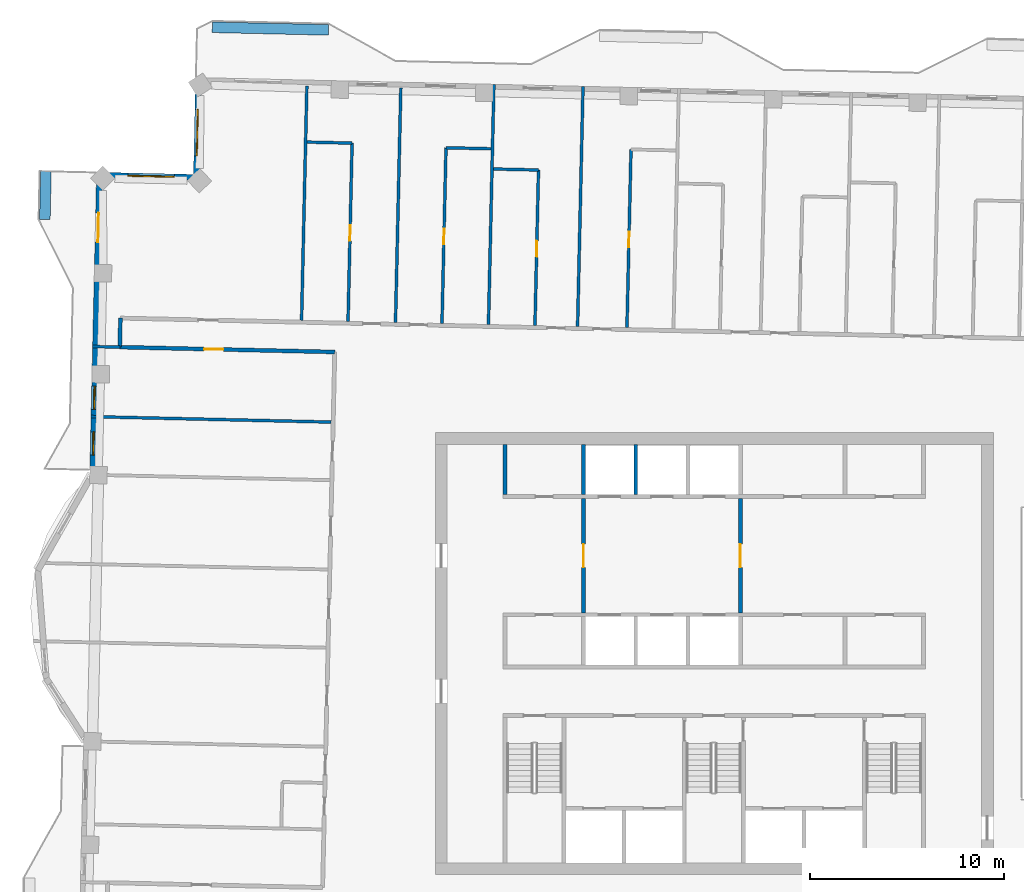
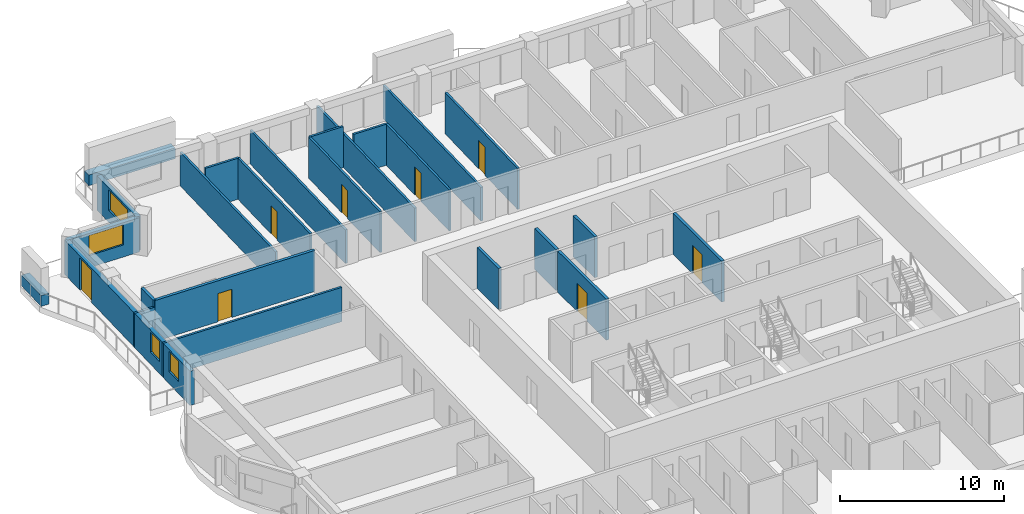
# One storey, part 8 of 15: 25 walls, 8 doors, 4 windows, 12 openings.
"""IFC4 building model written with IfcOpenShell, lengths in metres."""

from ifc_helpers import new_model, si_unit, direction, frame, frame_2d, origin, place, context, subcontext, project, spatial, rectangle, extrude, material, layer, layer_set, type_object, element, fill, save


model = new_model("IFC4")

# Units and contexts
model_context = context("Model", 3, precision=1e-05, world=origin(), true_north=direction((0.0, 1.0)))
body_context = subcontext(model_context, "Body", "Model", "MODEL_VIEW")
ifc_project = project(units=[si_unit("LENGTHUNIT", "METRE"), si_unit("AREAUNIT", "SQUARE_METRE"), si_unit("VOLUMEUNIT", "CUBIC_METRE"), si_unit("PLANEANGLEUNIT", "RADIAN"), si_unit("MASSUNIT", "GRAM", prefix="KILO")], contexts=[model_context])

# Site, building, storey
site_placement = place(None, origin())
site = spatial("IfcSite", under=ifc_project, at=site_placement, CompositionType="ELEMENT")
building_placement = place(site_placement, origin())
building = spatial("IfcBuilding", under=site, at=building_placement, Name="Mangrove Gate Tower", CompositionType="ELEMENT")
storey_placement = place(building_placement, frame((0.0, 0.0, 306.10009765625)))
storey = spatial("IfcBuildingStorey", under=building, at=storey_placement, Name="L78", CompositionType="ELEMENT", Elevation=306.10009765625)

# Wall, opening, door
ifc_material_1 = material(Name="Concrete C32/40", Category="concrete")
ifc_layer_1 = layer(ifc_material_1, 0.199951171875)
ifc_layer_set_1 = layer_set([ifc_layer_1], Name="Core lobby wall 200 C32/40")
wall_type_1 = type_object("IfcWallType", Name="Core lobby wall 200 C32/40", PredefinedType="STANDARD", material=ifc_layer_set_1)
wall_1_placement = place(storey_placement, frame((-6.75, 2.10009765625, 0.0), z_axis=(0.0, 0.0, 1.0), x_axis=(0.0, 1.0, 0.0)))
wall_1 = element("IfcWall", 1, at=wall_1_placement, inside=storey, type_object=wall_type_1, Name="WALL-L78-CORE-33", PredefinedType="STANDARD", context=body_context, shape_type="SweptSolid", body=[
    extrude(rectangle(XDim=5.89990234375, YDim=0.199951171875, at=frame_2d((2.949951171875, 0.0))), origin(), (0.0, 0.0, 1.0), 3.0498046875),
])
opening_1_placement = place(wall_1_placement, frame((2.35009765625, 0.0, 0.0)))
opening_1 = element("IfcOpeningElement", 2, at=opening_1_placement, cuts=wall_1, Name="Opening FL12", PredefinedType="OPENING", context=body_context, shape_type="SweptSolid", body=[
    extrude(rectangle(XDim=1.199951171875, YDim=2.10009765625, at=frame_2d((0.60009765625, 1.050048828125))), frame((0.0, 0.10986328125, 0.0), z_axis=(0.0, -1.0, 0.0), x_axis=(1.0, 0.0, 0.0)), (0.0, 0.0, 1.0), 0.219970703125),
])
ifc_material_2 = material(Name="Fire-rated steel door set", Category="steel")
door_type_1 = type_object("IfcDoorType", Name="Lobby door FD60 1200x2100", OperationType="SINGLE_SWING_LEFT", PredefinedType="DOOR", material=ifc_material_2)
door_1_placement = place(opening_1_placement, origin())
door_1 = element("IfcDoor", 3, at=door_1_placement, inside=storey, type_object=door_type_1, Name="Lobby door lift lobby partition", OperationType="SINGLE_SWING_LEFT", OverallHeight=2.10009765625, OverallWidth=1.199951171875, PredefinedType="DOOR", context=body_context, shape_type="SweptSolid", body=[
    extrude(rectangle(XDim=1.199951171875, YDim=2.10009765625, at=frame_2d((0.60009765625, 1.050048828125))), frame((0.0, 0.02490234375, 0.0), z_axis=(0.0, -1.0, 0.0), x_axis=(1.0, 0.0, 0.0)), (0.0, 0.0, 1.0), 0.050048828125),
])
fill(opening_1, door_1)

wall_2_placement = place(storey_placement, frame((1.35009765625, 2.10009765625, 0.0), z_axis=(0.0, 0.0, 1.0), x_axis=(0.0, 1.0, 0.0)))
wall_2 = element("IfcWall", 4, at=wall_2_placement, inside=storey, type_object=wall_type_1, Name="WALL-L78-CORE-34", PredefinedType="STANDARD", context=body_context, shape_type="SweptSolid", body=[
    extrude(rectangle(XDim=5.89990234375, YDim=0.199951171875, at=frame_2d((2.949951171875, 0.0))), origin(), (0.0, 0.0, 1.0), 3.0498046875),
])
opening_2_placement = place(wall_2_placement, frame((2.35009765625, 0.0, 0.0)))
opening_2 = element("IfcOpeningElement", 5, at=opening_2_placement, cuts=wall_2, Name="Opening FL12", PredefinedType="OPENING", context=body_context, shape_type="SweptSolid", body=[
    extrude(rectangle(XDim=1.199951171875, YDim=2.10009765625, at=frame_2d((0.60009765625, 1.050048828125))), frame((0.0, 0.10986328125, 0.0), z_axis=(0.0, -1.0, 0.0), x_axis=(1.0, 0.0, 0.0)), (0.0, 0.0, 1.0), 0.219970703125),
])
door_2_placement = place(opening_2_placement, origin())
door_2 = element("IfcDoor", 6, at=door_2_placement, inside=storey, type_object=door_type_1, Name="Lobby door lift lobby partition", OperationType="SINGLE_SWING_LEFT", OverallHeight=2.10009765625, OverallWidth=1.199951171875, PredefinedType="DOOR", context=body_context, shape_type="SweptSolid", body=[
    extrude(rectangle(XDim=1.199951171875, YDim=2.10009765625, at=frame_2d((0.60009765625, 1.050048828125))), frame((0.0, 0.02490234375, 0.0), z_axis=(0.0, -1.0, 0.0), x_axis=(1.0, 0.0, 0.0)), (0.0, 0.0, 1.0), 0.050048828125),
])
fill(opening_2, door_2)

# Walls
ifc_material_3 = material(Name="Concrete C32/40", Category="concrete")
ifc_layer_2 = layer(ifc_material_3, 0.199951171875)
ifc_layer_set_2 = layer_set([ifc_layer_2], Name="Core room wall 200 C32/40")
wall_type_2 = type_object("IfcWallType", Name="Core room wall 200 C32/40", PredefinedType="STANDARD", material=ifc_layer_set_2)
wall_3_placement = place(storey_placement, frame((-10.800048828125, 8.199951171875, 0.0), z_axis=(0.0, 0.0, 1.0), x_axis=(0.0, 1.0, 0.0)))
element("IfcWall", 7, at=wall_3_placement, inside=storey, type_object=wall_type_2, Name="WALL-L78-CORE-26", PredefinedType="STANDARD", context=body_context, shape_type="SweptSolid", body=[
    extrude(rectangle(XDim=2.60009765625, YDim=0.199951171875, at=frame_2d((1.300048828125, 0.0))), origin(), (0.0, 0.0, 1.0), 3.0498046875),
])
ifc_material_4 = material(Name="Concrete C50/60", Category="concrete")
ifc_layer_3 = layer(ifc_material_4, 0.199951171875)
ifc_layer_set_3 = layer_set([ifc_layer_3], Name="Core shaft wall 200 C50/60")
wall_type_3 = type_object("IfcWallType", Name="Core shaft wall 200 C50/60", PredefinedType="SHEAR", material=ifc_layer_set_3)
for number, where, z_axis, x_axis, name in (
    (8, (-6.75, 8.199951171875, 0.0), (0.0, 0.0, 1.0), (0.0, 1.0, 0.0), "WALL-L78-CORE-27"),
    (9, (-4.050048828125, 8.199951171875, 0.0), (0.0, 0.0, 1.0), (0.0, 1.0, 0.0), "WALL-L78-CORE-28"),
):
    element("IfcWall", number, at=place(storey_placement, frame(where, z_axis=z_axis, x_axis=x_axis)), inside=storey, type_object=wall_type_3, Name=name, PredefinedType="SHEAR", context=body_context, shape_type="SweptSolid", body=[
        extrude(rectangle(XDim=2.60009765625, YDim=0.199951171875, at=frame_2d((1.300048828125, 0.0))), origin(), (0.0, 0.0, 1.0), 3.0498046875),
    ])

# Wall, opening, door
ifc_material_5 = material(Name="Gypsum board on steel stud, EI 60", Category="steel")
ifc_layer_4 = layer(ifc_material_5, 0.199951171875)
ifc_layer_set_4 = layer_set([ifc_layer_4], Name="Corridor wall EI 60")
wall_type_4 = type_object("IfcWallType", Name="Corridor wall EI 60", PredefinedType="PARTITIONING", material=ifc_layer_set_4)
wall_4_placement = place(storey_placement, frame((-30.68603515625, 15.81396484375, 0.0), z_axis=(0.0, 0.0, 1.0), x_axis=(0.999742346277, -0.022698921993, 0.0)))
wall_4 = element("IfcWall", 10, at=wall_4_placement, inside=storey, type_object=wall_type_4, Name="WALL-L78-053", PredefinedType="PARTITIONING", context=body_context, shape_type="SweptSolid", body=[
    extrude(rectangle(XDim=11.099853515625, YDim=0.199951171875, at=frame_2d((5.5498046875, 0.0))), origin(), (0.0, 0.0, 1.0), 3.0498046875),
])
opening_3_placement = place(wall_4_placement, frame((4.35009765625, 0.0, 0.0)))
opening_3 = element("IfcOpeningElement", 11, at=opening_3_placement, cuts=wall_4, Name="Opening AD", PredefinedType="OPENING", context=body_context, shape_type="SweptSolid", body=[
    extrude(rectangle(XDim=1.0, YDim=2.10009765625, at=frame_2d((0.5, 1.050048828125))), frame((0.0, 0.10986328125, 0.0), z_axis=(0.0, -1.0, 0.0), x_axis=(1.0, 0.0, 0.0)), (0.0, 0.0, 1.0), 0.219970703125),
])
ifc_material_6 = material(Name="Timber door leaf", Category="wood")
door_type_2 = type_object("IfcDoorType", Name="Amenity door 1000", OperationType="SINGLE_SWING_LEFT", PredefinedType="DOOR", material=ifc_material_6)
door_3_placement = place(opening_3_placement, origin())
door_3 = element("IfcDoor", 12, at=door_3_placement, inside=storey, type_object=door_type_2, Name="DOOR-L78-KIT-c5b", OperationType="SINGLE_SWING_LEFT", OverallHeight=2.10009765625, OverallWidth=1.0, PredefinedType="DOOR", context=body_context, shape_type="SweptSolid", body=[
    extrude(rectangle(XDim=1.0, YDim=2.10009765625, at=frame_2d((0.5, 1.050048828125))), frame((0.0, 0.02490234375, 0.0), z_axis=(0.0, -1.0, 0.0), x_axis=(1.0, 0.0, 0.0)), (0.0, 0.0, 1.0), 0.050048828125),
])
fill(opening_3, door_3)

# Wall
wall_5_placement = place(storey_placement, frame((-30.68603515625, 15.81396484375, 0.0), z_axis=(0.0, 0.0, 1.0), x_axis=(0.022632637625, 0.99974384905, 0.0)))
element("IfcWall", 13, at=wall_5_placement, inside=storey, type_object=wall_type_4, Name="WALL-L78-054", PredefinedType="PARTITIONING", context=body_context, shape_type="SweptSolid", body=[
    extrude(rectangle(XDim=1.49951171875, YDim=0.199951171875, at=frame_2d((0.749755859375, 0.0))), origin(), (0.0, 0.0, 1.0), 3.0498046875),
])

# Wall, opening, window
ifc_material_7 = material(Name="Limestone", Category="masonry")
ifc_layer_5 = layer(ifc_material_7, 0.0400390625, Name="Limestone cladding")
ifc_material_8 = material(Name="Ventilated air gap")
ifc_layer_6 = layer(ifc_material_8, 0.0400390625, Name="Ventilated cavity")
ifc_material_9 = material(Name="Mineral wool insulation")
ifc_layer_7 = layer(ifc_material_9, 0.06005859375, Name="Insulation")
ifc_material_10 = material(Name="Breather membrane")
ifc_layer_8 = layer(ifc_material_10, 0.001953125, Name="Breather membrane")
ifc_material_11 = material(Name="Concrete C20/25 blockwork", Category="masonry")
ifc_layer_9 = layer(ifc_material_11, 0.14990234375, Name="Blockwork backing wall")
ifc_material_12 = material(Name="Gypsum plaster")
ifc_layer_10 = layer(ifc_material_12, 0.008056640625, Name="Internal plaster")
ifc_layer_set_5 = layer_set([ifc_layer_5, ifc_layer_6, ifc_layer_7, ifc_layer_8, ifc_layer_9, ifc_layer_10], Name="External wall 300 limestone cladding")
wall_type_5 = type_object("IfcWallType", Name="External wall 300 limestone cladding", PredefinedType="SOLIDWALL", material=ifc_layer_set_5)
wall_6_placement = place(storey_placement, frame((-26.623046875, 29.574951171875, 0.0), z_axis=(0.0, 0.0, 1.0), x_axis=(-0.022606059803, -0.999744450377, 0.0)))
wall_6 = element("IfcWall", 14, at=wall_6_placement, inside=storey, type_object=wall_type_5, Name="WALL-L78-W6", PredefinedType="SOLIDWALL", context=body_context, shape_type="SweptSolid", body=[
    extrude(rectangle(XDim=5.000244140625, YDim=0.300048828125, at=frame_2d((2.5, 0.0))), origin(), (0.0, 0.0, 1.0), 2.5498046875),
])
opening_4_placement = place(wall_6_placement, frame((1.489990234375, 0.0, 0.89990234375)))
opening_4 = element("IfcOpeningElement", 15, at=opening_4_placement, cuts=wall_6, Name="Opening W2", PredefinedType="OPENING", context=body_context, shape_type="SweptSolid", body=[
    extrude(rectangle(XDim=2.39990234375, YDim=1.5, at=frame_2d((1.199951171875, 0.75))), frame((0.0, 0.159912109375, 0.0), z_axis=(0.0, -1.0, 0.0), x_axis=(1.0, 0.0, 0.0)), (0.0, 0.0, 1.0), 0.320068359375),
])
ifc_material_13 = material(Name="Aluminium frame with double-glazed low-e glass", Category="aluminium")
window_type_1 = type_object("IfcWindowType", Name="Corner room window 2400x1500", PartitioningType="DOUBLE_PANEL_VERTICAL", PredefinedType="WINDOW", material=ifc_material_13)
window_1_placement = place(opening_4_placement, origin())
window_1 = element("IfcWindow", 16, at=window_1_placement, inside=storey, type_object=window_type_1, Name="WIN-L78-W6-1", OverallHeight=1.5, OverallWidth=2.39990234375, PartitioningType="DOUBLE_PANEL_VERTICAL", PredefinedType="WINDOW", context=body_context, shape_type="SweptSolid", body=[
    extrude(rectangle(XDim=2.39990234375, YDim=1.5, at=frame_2d((1.199951171875, 0.75))), frame((0.0, 0.030029296875, 0.0), z_axis=(0.0, -1.0, 0.0), x_axis=(1.0, 0.0, 0.0)), (0.0, 0.0, 1.0), 0.06005859375),
])
fill(opening_4, window_1)

wall_7_placement = place(storey_placement, frame((-26.736083984375, 24.575927734375, 0.0), z_axis=(0.0, 0.0, 1.0), x_axis=(-0.999740017489, 0.022801259434, 0.0)))
wall_7 = element("IfcWall", 17, at=wall_7_placement, inside=storey, type_object=wall_type_5, Name="WALL-L78-N7", PredefinedType="SOLIDWALL", context=body_context, shape_type="SweptSolid", body=[
    extrude(rectangle(XDim=5.000244140625, YDim=0.300048828125, at=frame_2d((2.5, 0.0))), origin(), (0.0, 0.0, 1.0), 2.5498046875),
])
opening_5_placement = place(wall_7_placement, frame((1.12890625, 0.0, 0.89990234375)))
opening_5 = element("IfcOpeningElement", 18, at=opening_5_placement, cuts=wall_7, Name="Opening W2", PredefinedType="OPENING", context=body_context, shape_type="SweptSolid", body=[
    extrude(rectangle(XDim=2.39990234375, YDim=1.5, at=frame_2d((1.199951171875, 0.75))), frame((0.0, 0.159912109375, 0.0), z_axis=(0.0, -1.0, 0.0), x_axis=(1.0, 0.0, 0.0)), (0.0, 0.0, 1.0), 0.320068359375),
])
window_2_placement = place(opening_5_placement, origin())
window_2 = element("IfcWindow", 19, at=window_2_placement, inside=storey, type_object=window_type_1, Name="WIN-L78-N7-1", OverallHeight=1.5, OverallWidth=2.39990234375, PartitioningType="DOUBLE_PANEL_VERTICAL", PredefinedType="WINDOW", context=body_context, shape_type="SweptSolid", body=[
    extrude(rectangle(XDim=2.39990234375, YDim=1.5, at=frame_2d((1.199951171875, 0.75))), frame((0.0, 0.030029296875, 0.0), z_axis=(0.0, -1.0, 0.0), x_axis=(1.0, 0.0, 0.0)), (0.0, 0.0, 1.0), 0.06005859375),
])
fill(opening_5, window_2)

# Wall, openings, door, windows
wall_8_placement = place(storey_placement, frame((-31.735107421875, 24.68994140625, 0.0), z_axis=(0.0, 0.0, 1.0), x_axis=(-0.022658721334, -0.999743258216, 0.0)))
wall_8 = element("IfcWall", 20, at=wall_8_placement, inside=storey, type_object=wall_type_5, Name="WALL-L78-W8s1", PredefinedType="SOLIDWALL", context=body_context, shape_type="SweptSolid", body=[
    extrude(rectangle(XDim=15.925048828125, YDim=0.300048828125, at=frame_2d((7.96240234375, 0.0))), origin(), (0.0, 0.0, 1.0), 2.5498046875),
])
opening_6_placement = place(wall_8_placement, frame((1.952880859375, 0.0, 0.0)))
opening_6 = element("IfcOpeningElement", 21, at=opening_6_placement, cuts=wall_8, Name="Opening BD1", PredefinedType="OPENING", context=body_context, shape_type="SweptSolid", body=[
    extrude(rectangle(XDim=1.5, YDim=2.39990234375, at=frame_2d((0.75, 1.199951171875))), frame((0.0, 0.159912109375, 0.0), z_axis=(0.0, -1.0, 0.0), x_axis=(1.0, 0.0, 0.0)), (0.0, 0.0, 1.0), 0.320068359375),
])
opening_7_placement = place(wall_8_placement, frame((10.89599609375, 0.0, 0.89990234375)))
opening_7 = element("IfcOpeningElement", 22, at=opening_7_placement, cuts=wall_8, Name="Opening W1", PredefinedType="OPENING", context=body_context, shape_type="SweptSolid", body=[
    extrude(rectangle(XDim=1.199951171875, YDim=1.5, at=frame_2d((0.60009765625, 0.75))), frame((0.0, 0.159912109375, 0.0), z_axis=(0.0, -1.0, 0.0), x_axis=(1.0, 0.0, 0.0)), (0.0, 0.0, 1.0), 0.320068359375),
])
opening_8_placement = place(wall_8_placement, frame((13.25, 0.0, 0.89990234375)))
opening_8 = element("IfcOpeningElement", 23, at=opening_8_placement, cuts=wall_8, Name="Opening W1", PredefinedType="OPENING", context=body_context, shape_type="SweptSolid", body=[
    extrude(rectangle(XDim=1.199951171875, YDim=1.5, at=frame_2d((0.60009765625, 0.75))), frame((0.0, 0.159912109375, 0.0), z_axis=(0.0, -1.0, 0.0), x_axis=(1.0, 0.0, 0.0)), (0.0, 0.0, 1.0), 0.320068359375),
])
ifc_material_14 = material(Name="Aluminium frame with laminated clear glass", Category="aluminium")
door_type_3 = type_object("IfcDoorType", Name="Balcony sliding door 1500x2400", OperationType="SLIDING_TO_LEFT", PredefinedType="DOOR", material=ifc_material_14)
door_4_placement = place(opening_6_placement, origin())
door_4 = element("IfcDoor", 24, at=door_4_placement, inside=storey, type_object=door_type_3, Name="DOOR-L78-W8-1", OperationType="SLIDING_TO_LEFT", OverallHeight=2.39990234375, OverallWidth=1.5, PredefinedType="DOOR", context=body_context, shape_type="SweptSolid", body=[
    extrude(rectangle(XDim=1.5, YDim=2.39990234375, at=frame_2d((0.75, 1.199951171875))), frame((0.0, 0.02490234375, 0.0), z_axis=(0.0, -1.0, 0.0), x_axis=(1.0, 0.0, 0.0)), (0.0, 0.0, 1.0), 0.050048828125),
])
fill(opening_6, door_4)
ifc_material_15 = material(Name="Aluminium frame with double-glazed low-e glass", Category="aluminium")
window_type_2 = type_object("IfcWindowType", Name="Side lite 1200x1500", PartitioningType="SINGLE_PANEL", PredefinedType="WINDOW", material=ifc_material_15)
window_3_placement = place(opening_7_placement, origin())
window_3 = element("IfcWindow", 25, at=window_3_placement, inside=storey, type_object=window_type_2, Name="WIN-L78-W8-2", OverallHeight=1.5, OverallWidth=1.199951171875, PartitioningType="SINGLE_PANEL", PredefinedType="WINDOW", context=body_context, shape_type="SweptSolid", body=[
    extrude(rectangle(XDim=1.199951171875, YDim=1.5, at=frame_2d((0.60009765625, 0.75))), frame((0.0, 0.030029296875, 0.0), z_axis=(0.0, -1.0, 0.0), x_axis=(1.0, 0.0, 0.0)), (0.0, 0.0, 1.0), 0.06005859375),
])
fill(opening_7, window_3)
window_4_placement = place(opening_8_placement, origin())
window_4 = element("IfcWindow", 26, at=window_4_placement, inside=storey, type_object=window_type_2, Name="WIN-L78-W8-3", OverallHeight=1.5, OverallWidth=1.199951171875, PartitioningType="SINGLE_PANEL", PredefinedType="WINDOW", context=body_context, shape_type="SweptSolid", body=[
    extrude(rectangle(XDim=1.199951171875, YDim=1.5, at=frame_2d((0.60009765625, 0.75))), frame((0.0, 0.030029296875, 0.0), z_axis=(0.0, -1.0, 0.0), x_axis=(1.0, 0.0, 0.0)), (0.0, 0.0, 1.0), 0.06005859375),
])
fill(opening_8, window_4)

# Walls
ifc_material_16 = material(Name="Gypsum board on steel stud, EI 60", Category="steel")
ifc_layer_11 = layer(ifc_material_16, 0.14990234375)
ifc_layer_set_6 = layer_set([ifc_layer_11], Name="Party wall 150 EI 60")
wall_type_6 = type_object("IfcWallType", Name="Party wall 150 EI 60", PredefinedType="PARTITIONING", material=ifc_layer_set_6)
wall_9_placement = place(storey_placement, frame((-32.16796875, 12.22607421875, 0.0), z_axis=(0.0, 0.0, 1.0), x_axis=(0.999743195783, -0.022661475803, 0.0)))
element("IfcWall", 27, at=wall_9_placement, inside=storey, type_object=wall_type_6, Name="WALL-L78-051", PredefinedType="PARTITIONING", context=body_context, shape_type="SweptSolid", body=[
    extrude(rectangle(XDim=12.400146484375, YDim=0.14990234375, at=frame_2d((6.2001953125, 0.0))), origin(), (0.0, 0.0, 1.0), 2.5498046875),
])
wall_10_placement = place(storey_placement, frame((-32.0859375, 15.844970703125, 0.0), z_axis=(0.0, 0.0, 1.0), x_axis=(0.999740667531, -0.022772739949, 0.0)))
element("IfcWall", 28, at=wall_10_placement, inside=storey, type_object=wall_type_6, Name="WALL-L78-052", PredefinedType="PARTITIONING", context=body_context, shape_type="SweptSolid", body=[
    extrude(rectangle(XDim=1.404296875, YDim=0.14990234375, at=frame_2d((0.7021484375, 0.0))), origin(), (0.0, 0.0, 1.0), 2.5498046875),
])
wall_11_placement = place(storey_placement, frame((-21.302001953125, 17.200927734375, 0.0), z_axis=(0.0, 0.0, 1.0), x_axis=(0.022637991173, 0.99974372784, 0.0)))
element("IfcWall", 29, at=wall_11_placement, inside=storey, type_object=wall_type_6, Name="WALL-L78-059", PredefinedType="PARTITIONING", context=body_context, shape_type="SweptSolid", body=[
    extrude(rectangle(XDim=12.100341796875, YDim=0.14990234375, at=frame_2d((6.05029296875, 0.0))), origin(), (0.0, 0.0, 1.0), 2.5),
])

# Wall, opening, door
wall_12_placement = place(storey_placement, frame((-18.903076171875, 17.14697265625, 0.0), z_axis=(0.0, 0.0, 1.0), x_axis=(0.022717185456, 0.999741931443, 0.0)))
wall_12 = element("IfcWall", 30, at=wall_12_placement, inside=storey, type_object=wall_type_6, Name="WALL-L78-060", PredefinedType="PARTITIONING", context=body_context, shape_type="SweptSolid", body=[
    extrude(rectangle(XDim=9.199462890625, YDim=0.14990234375, at=frame_2d((4.599609375, 0.0))), origin(), (0.0, 0.0, 1.0), 3.0498046875),
])
opening_9_placement = place(wall_12_placement, frame((4.14990234375, 0.0, 0.0)))
opening_9 = element("IfcOpeningElement", 31, at=opening_9_placement, cuts=wall_12, Name="Opening ED", PredefinedType="OPENING", context=body_context, shape_type="SweptSolid", body=[
    extrude(rectangle(XDim=0.800048828125, YDim=2.10009765625, at=frame_2d((0.39990234375, 1.050048828125))), frame((0.0, 0.0849609375, 0.0), z_axis=(0.0, -1.0, 0.0), x_axis=(1.0, 0.0, 0.0)), (0.0, 0.0, 1.0), 0.169921875),
])
ifc_material_17 = material(Name="Timber door leaf", Category="wood")
door_type_4 = type_object("IfcDoorType", Name="En-suite door 800", OperationType="SINGLE_SWING_LEFT", PredefinedType="DOOR", material=ifc_material_17)
door_5_placement = place(opening_9_placement, origin())
door_5 = element("IfcDoor", 32, at=door_5_placement, inside=storey, type_object=door_type_4, Name="DOOR-L78-ENS-c519", OperationType="SINGLE_SWING_LEFT", OverallHeight=2.10009765625, OverallWidth=0.800048828125, PredefinedType="DOOR", context=body_context, shape_type="SweptSolid", body=[
    extrude(rectangle(XDim=0.800048828125, YDim=2.10009765625, at=frame_2d((0.39990234375, 1.050048828125))), frame((0.0, 0.02490234375, 0.0), z_axis=(0.0, -1.0, 0.0), x_axis=(1.0, 0.0, 0.0)), (0.0, 0.0, 1.0), 0.050048828125),
])
fill(opening_9, door_5)

# Wall
wall_13_placement = place(storey_placement, frame((-16.4541015625, 17.091064453125, 0.0), z_axis=(0.0, 0.0, 1.0), x_axis=(0.02273928012, 0.99974142914, 0.0)))
element("IfcWall", 33, at=wall_13_placement, inside=storey, type_object=wall_type_6, Name="WALL-L78-061", PredefinedType="PARTITIONING", context=body_context, shape_type="SweptSolid", body=[
    extrude(rectangle(XDim=12.10009765625, YDim=0.14990234375, at=frame_2d((6.050048828125, 0.0))), origin(), (0.0, 0.0, 1.0), 2.5),
])

# Wall, opening, door
wall_14_placement = place(storey_placement, frame((-14.053955078125, 17.037109375, 0.0), z_axis=(0.0, 0.0, 1.0), x_axis=(0.022720182365, 0.999741863339, 0.0)))
wall_14 = element("IfcWall", 34, at=wall_14_placement, inside=storey, type_object=wall_type_6, Name="WALL-L78-062", PredefinedType="PARTITIONING", context=body_context, shape_type="SweptSolid", body=[
    extrude(rectangle(XDim=9.0693359375, YDim=0.14990234375, at=frame_2d((4.53466796875, 0.0))), origin(), (0.0, 0.0, 1.0), 3.0498046875),
])
opening_10_placement = place(wall_14_placement, frame((4.0849609375, 0.0, 0.0)))
opening_10 = element("IfcOpeningElement", 35, at=opening_10_placement, cuts=wall_14, Name="Opening ED", PredefinedType="OPENING", context=body_context, shape_type="SweptSolid", body=[
    extrude(rectangle(XDim=0.800048828125, YDim=2.10009765625, at=frame_2d((0.39990234375, 1.050048828125))), frame((0.0, 0.0849609375, 0.0), z_axis=(0.0, -1.0, 0.0), x_axis=(1.0, 0.0, 0.0)), (0.0, 0.0, 1.0), 0.169921875),
])
door_6_placement = place(opening_10_placement, origin())
door_6 = element("IfcDoor", 36, at=door_6_placement, inside=storey, type_object=door_type_4, Name="DOOR-L78-ENS-c518", OperationType="SINGLE_SWING_RIGHT", OverallHeight=2.10009765625, OverallWidth=0.800048828125, PredefinedType="DOOR", context=body_context, shape_type="SweptSolid", body=[
    extrude(rectangle(XDim=0.800048828125, YDim=2.10009765625, at=frame_2d((0.39990234375, 1.050048828125))), frame((0.0, 0.02490234375, 0.0), z_axis=(0.0, -1.0, 0.0), x_axis=(1.0, 0.0, 0.0)), (0.0, 0.0, 1.0), 0.050048828125),
])
fill(opening_10, door_6)

# Wall
wall_15_placement = place(storey_placement, frame((-11.655029296875, 16.98193359375, 0.0), z_axis=(0.0, 0.0, 1.0), x_axis=(0.022740189192, 0.999741408463, 0.0)))
element("IfcWall", 37, at=wall_15_placement, inside=storey, type_object=wall_type_6, Name="WALL-L78-063", PredefinedType="PARTITIONING", context=body_context, shape_type="SweptSolid", body=[
    extrude(rectangle(XDim=12.400146484375, YDim=0.14990234375, at=frame_2d((6.2001953125, 0.0))), origin(), (0.0, 0.0, 1.0), 2.5),
])

# Wall, opening, door
wall_16_placement = place(storey_placement, frame((-9.2548828125, 16.927978515625, 0.0), z_axis=(0.0, 0.0, 1.0), x_axis=(0.022650271266, 0.999743449697, 0.0)))
wall_16 = element("IfcWall", 38, at=wall_16_placement, inside=storey, type_object=wall_type_6, Name="WALL-L78-064", PredefinedType="PARTITIONING", context=body_context, shape_type="SweptSolid", body=[
    extrude(rectangle(XDim=8.030029296875, YDim=0.14990234375, at=frame_2d((4.01513671875, 0.0))), origin(), (0.0, 0.0, 1.0), 3.0498046875),
])
opening_11_placement = place(wall_16_placement, frame((3.56494140625, 0.0, 0.0)))
opening_11 = element("IfcOpeningElement", 39, at=opening_11_placement, cuts=wall_16, Name="Opening ED", PredefinedType="OPENING", context=body_context, shape_type="SweptSolid", body=[
    extrude(rectangle(XDim=0.800048828125, YDim=2.10009765625, at=frame_2d((0.39990234375, 1.050048828125))), frame((0.0, 0.0849609375, 0.0), z_axis=(0.0, -1.0, 0.0), x_axis=(1.0, 0.0, 0.0)), (0.0, 0.0, 1.0), 0.169921875),
])
door_7_placement = place(opening_11_placement, origin())
door_7 = element("IfcDoor", 40, at=door_7_placement, inside=storey, type_object=door_type_4, Name="DOOR-L78-ENS-c517", OperationType="SINGLE_SWING_LEFT", OverallHeight=2.10009765625, OverallWidth=0.800048828125, PredefinedType="DOOR", context=body_context, shape_type="SweptSolid", body=[
    extrude(rectangle(XDim=0.800048828125, YDim=2.10009765625, at=frame_2d((0.39990234375, 1.050048828125))), frame((0.0, 0.02490234375, 0.0), z_axis=(0.0, -1.0, 0.0), x_axis=(1.0, 0.0, 0.0)), (0.0, 0.0, 1.0), 0.050048828125),
])
fill(opening_11, door_7)

# Wall
wall_17_placement = place(storey_placement, frame((-7.055908203125, 16.8779296875, 0.0), z_axis=(0.0, 0.0, 1.0), x_axis=(0.022661475803, 0.999743195783, 0.0)))
element("IfcWall", 41, at=wall_17_placement, inside=storey, type_object=wall_type_6, Name="WALL-L78-065", PredefinedType="PARTITIONING", context=body_context, shape_type="SweptSolid", body=[
    extrude(rectangle(XDim=12.400146484375, YDim=0.14990234375, at=frame_2d((6.2001953125, 0.0))), origin(), (0.0, 0.0, 1.0), 2.5),
])

# Wall, opening, door
wall_18_placement = place(storey_placement, frame((-4.507080078125, 16.820068359375, 0.0), z_axis=(0.0, 0.0, 1.0), x_axis=(0.022717185456, 0.999741931443, 0.0)))
wall_18 = element("IfcWall", 42, at=wall_18_placement, inside=storey, type_object=wall_type_6, Name="WALL-L78-066", PredefinedType="PARTITIONING", context=body_context, shape_type="SweptSolid", body=[
    extrude(rectangle(XDim=9.199462890625, YDim=0.14990234375, at=frame_2d((4.599609375, 0.0))), origin(), (0.0, 0.0, 1.0), 3.0498046875),
])
opening_12_placement = place(wall_18_placement, frame((4.14990234375, 0.0, 0.0)))
opening_12 = element("IfcOpeningElement", 43, at=opening_12_placement, cuts=wall_18, Name="Opening ED", PredefinedType="OPENING", context=body_context, shape_type="SweptSolid", body=[
    extrude(rectangle(XDim=0.800048828125, YDim=2.10009765625, at=frame_2d((0.39990234375, 1.050048828125))), frame((0.0, 0.0849609375, 0.0), z_axis=(0.0, -1.0, 0.0), x_axis=(1.0, 0.0, 0.0)), (0.0, 0.0, 1.0), 0.169921875),
])
door_8_placement = place(opening_12_placement, origin())
door_8 = element("IfcDoor", 44, at=door_8_placement, inside=storey, type_object=door_type_4, Name="DOOR-L78-ENS-c416", OperationType="SINGLE_SWING_RIGHT", OverallHeight=2.10009765625, OverallWidth=0.800048828125, PredefinedType="DOOR", context=body_context, shape_type="SweptSolid", body=[
    extrude(rectangle(XDim=0.800048828125, YDim=2.10009765625, at=frame_2d((0.39990234375, 1.050048828125))), frame((0.0, 0.02490234375, 0.0), z_axis=(0.0, -1.0, 0.0), x_axis=(1.0, 0.0, 0.0)), (0.0, 0.0, 1.0), 0.050048828125),
])
fill(opening_12, door_8)

# Walls
wall_19_placement = place(storey_placement, frame((-11.39794921875, 25.008056640625, 0.0), z_axis=(0.0, 0.0, 1.0), x_axis=(0.999749954681, -0.022361308448, 0.0)))
element("IfcWall", 45, at=wall_19_placement, inside=storey, type_object=wall_type_6, Name="WALL-L78-082", PredefinedType="PARTITIONING", context=body_context, shape_type="SweptSolid", body=[
    extrude(rectangle(XDim=2.325439453125, YDim=0.14990234375, at=frame_2d((1.16259765625, 0.0))), origin(), (0.0, 0.0, 1.0), 3.0498046875),
])
wall_20_placement = place(storey_placement, frame((-13.847900390625, 26.10400390625, 0.0), z_axis=(0.0, 0.0, 1.0), x_axis=(0.999740260747, -0.02279059109, 0.0)))
element("IfcWall", 46, at=wall_20_placement, inside=storey, type_object=wall_type_6, Name="WALL-L78-083", PredefinedType="PARTITIONING", context=body_context, shape_type="SweptSolid", body=[
    extrude(rectangle(XDim=2.324462890625, YDim=0.14990234375, at=frame_2d((1.162109375, 0.0))), origin(), (0.0, 0.0, 1.0), 3.0498046875),
])
wall_21_placement = place(storey_placement, frame((-21.01904296875, 26.39697265625, 0.0), z_axis=(0.0, 0.0, 1.0), x_axis=(0.999740478815, -0.022781023197, 0.0)))
element("IfcWall", 47, at=wall_21_placement, inside=storey, type_object=wall_type_6, Name="WALL-L78-084", PredefinedType="PARTITIONING", context=body_context, shape_type="SweptSolid", body=[
    extrude(rectangle(XDim=2.325439453125, YDim=0.14990234375, at=frame_2d((1.16259765625, 0.0))), origin(), (0.0, 0.0, 1.0), 3.0498046875),
])
ifc_material_18 = material(Name="Concrete C32/40", Category="concrete")
ifc_layer_12 = layer(ifc_material_18, 0.199951171875, Name="Planter trough wall")
ifc_material_19 = material(Name="Bituminous waterproofing membrane")
ifc_layer_13 = layer(ifc_material_19, 0.0048828125, Name="Waterproofing")
ifc_material_20 = material(Name="Drainage board and gravel")
ifc_layer_14 = layer(ifc_material_20, 0.044921875, Name="Drainage layer")
ifc_material_21 = material(Name="Planting soil")
ifc_layer_15 = layer(ifc_material_21, 0.300048828125, Name="Growing medium")
ifc_layer_set_7 = layer_set([ifc_layer_12, ifc_layer_13, ifc_layer_14, ifc_layer_15], Name="Planter wall 550 C32/40")
wall_type_7 = type_object("IfcWallType", Name="Planter wall 550 C32/40", PredefinedType="USERDEFINED", material=ifc_layer_set_7)
wall_22_placement = place(storey_placement, frame((-25.909912109375, 32.323974609375, 0.0), z_axis=(0.0, 0.0, 1.0), x_axis=(0.999743073592, -0.022666865795, 0.0)))
element("IfcWall", 48, at=wall_22_placement, inside=storey, type_object=wall_type_7, Name="PLANTER L78 N1.1", ObjectType="PLANTER", PredefinedType="USERDEFINED", context=body_context, shape_type="SweptSolid", body=[
    extrude(rectangle(XDim=5.999267578125, YDim=0.550048828125, at=frame_2d((2.99951171875, 0.0))), origin(), (0.0, 0.0, 1.0), 0.7998046875),
])
wall_23_placement = place(storey_placement, frame((-34.552978515625, 22.403076171875, 0.0), z_axis=(0.0, 0.0, 1.0), x_axis=(0.02274801823, 0.999741230352, 0.0)))
element("IfcWall", 49, at=wall_23_placement, inside=storey, type_object=wall_type_7, Name="PLANTER L78 W0.1", ObjectType="PLANTER", PredefinedType="USERDEFINED", context=body_context, shape_type="SweptSolid", body=[
    extrude(rectangle(XDim=2.500732421875, YDim=0.550048828125, at=frame_2d((1.25048828125, 0.0))), origin(), (0.0, 0.0, 1.0), 0.7998046875),
])

save(model, "model.ifc")
